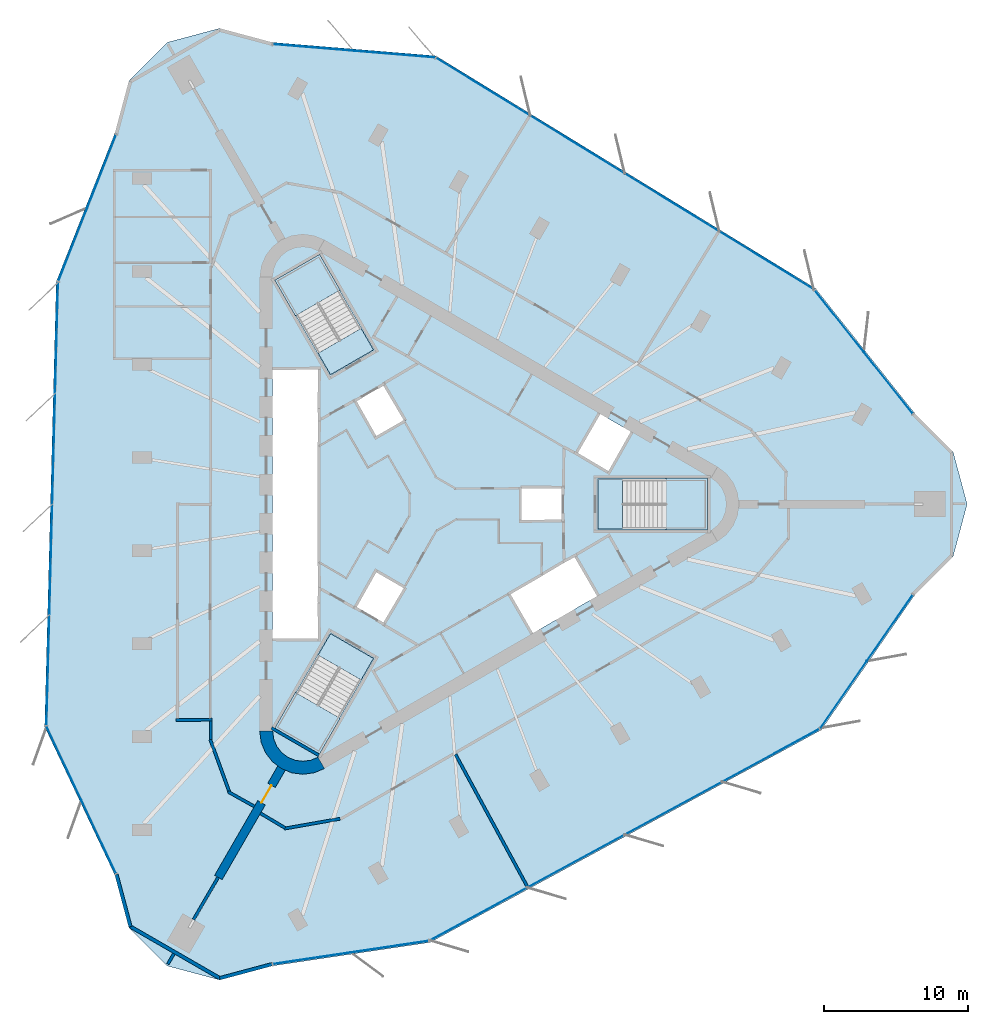
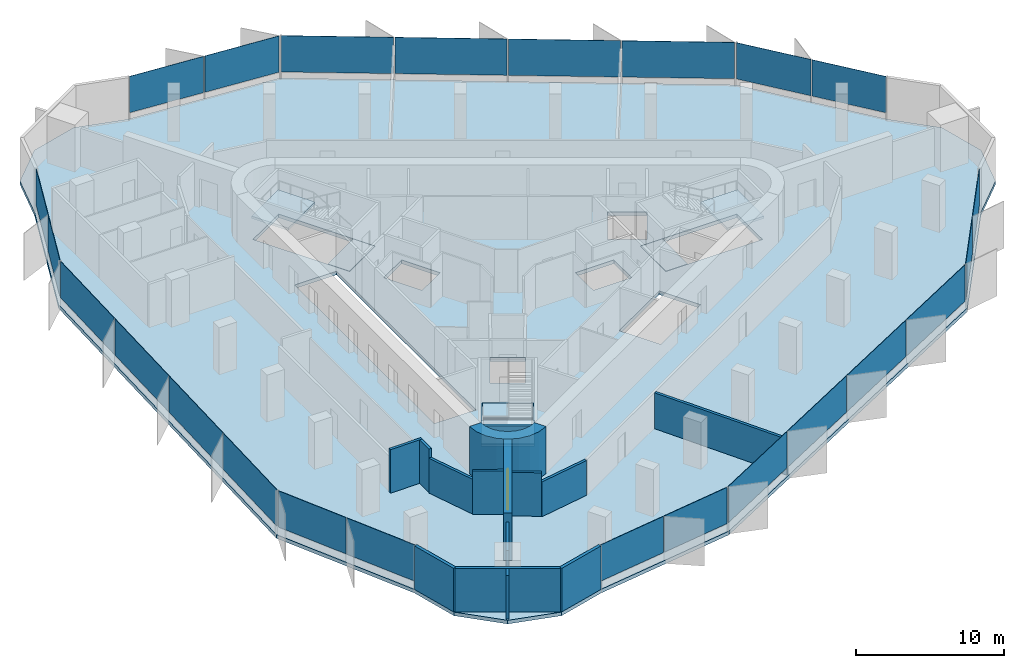
# One storey, part 7 of 13: 24 plates, 15 walls, 7 slabs, 1 door, 1 opening, 12 elements without a shape of their own.
"""IFC4 building model written with IfcOpenShell, lengths in metres."""

import ifcopenshell
import ifcopenshell.guid

model = None  # the IFC model being written
_history = None  # IfcOwnerHistory: only IFC2X3 demands one
_inside = {}  # id of a spatial element -> (the spatial element, [elements in it])
_under = {}  # id of a project, library or spatial element -> (it, [spatial elements below it])
_declared = {}  # id of a project -> (the project, [libraries it declares])
_typed = {}  # id of a type object -> (the type object, [elements of that type])
_made_of = {}  # id of a material, layer set ... -> (it, [elements and type objects made of it])


def new_model(schema):
    """Start an empty IFC model of exactly this schema.

    Asked for "IFC4X3", IfcOpenShell would pick the latest addendum, in which some entities
    have other attributes; the version numbers below select the first issue.
    IFC2X3 requires an IfcOwnerHistory on every rooted entity: one is made here for all.
    """
    global model, _history
    if schema == "IFC4X3":
        model = ifcopenshell.file(schema_version=(4, 3, 0, 0))
    else:
        model = ifcopenshell.file(schema=schema)
    _inside.clear()
    _under.clear()
    _declared.clear()
    _typed.clear()
    _made_of.clear()
    _history = None
    if model.schema == "IFC2X3":
        org = make("IfcOrganization", Name="unknown")
        user = make(
            "IfcPersonAndOrganization",
            ThePerson=make("IfcPerson", FamilyName="unknown"),
            TheOrganization=org,
        )
        app = make(
            "IfcApplication",
            ApplicationDeveloper=org,
            Version="unknown",
            ApplicationFullName="unknown",
            ApplicationIdentifier="unknown",
        )
        _history = make(
            "IfcOwnerHistory",
            OwningUser=user,
            OwningApplication=app,
            ChangeAction="ADDED",
            CreationDate=0,
        )
    return model


def make(cls, **values):
    """One entity of the class cls with the attributes given. An attribute that is None is left unset."""
    return model.create_entity(
        cls, **{name: value for name, value in values.items() if value is not None}
    )


def rooted(cls, **values):
    """An entity with a GlobalId (a new one), such as an element, a storey or a relation."""
    return make(cls, GlobalId=ifcopenshell.guid.new(), OwnerHistory=_history, **values)


def si_unit(unit_type, name, prefix=None):
    """IfcSIUnit, for example si_unit("LENGTHUNIT", "METRE", prefix="MILLI")."""
    return make("IfcSIUnit", UnitType=unit_type, Prefix=prefix, Name=name)


def assignment(units):
    """IfcUnitAssignment: the units of a project."""
    return None if units is None else make("IfcUnitAssignment", Units=units)


def point(xyz):
    """IfcCartesianPoint."""
    return None if xyz is None else make("IfcCartesianPoint", Coordinates=xyz)


def direction(xyz):
    """IfcDirection."""
    return None if xyz is None else make("IfcDirection", DirectionRatios=xyz)


def frame(location, z_axis=None, x_axis=None):
    """IfcAxis2Placement3D, a coordinate frame: its origin and axes. An axis left out is left unset."""
    return make(
        "IfcAxis2Placement3D",
        Location=point(location),
        Axis=direction(z_axis),
        RefDirection=direction(x_axis),
    )


def frame_2d(location, x_axis=None):
    """IfcAxis2Placement2D, a coordinate frame in the plane: its origin and x axis."""
    return make(
        "IfcAxis2Placement2D", Location=point(location), RefDirection=direction(x_axis)
    )


def origin():
    """The frame at (0, 0, 0) with its axes left unset."""
    return frame((0.0, 0.0, 0.0))


def origin_2d():
    """The frame at (0, 0) in the plane with its x axis left unset."""
    return frame_2d((0.0, 0.0))


def place(relative_to, where):
    """IfcLocalPlacement: puts the frame where relative to a parent placement (None: the world)."""
    return make(
        "IfcLocalPlacement", PlacementRelTo=relative_to, RelativePlacement=where
    )


def context(
    kind, dimensions, precision=None, world=None, true_north=None, identifier=None
):
    """IfcGeometricRepresentationContext, for example the 3D "Model" context."""
    return make(
        "IfcGeometricRepresentationContext",
        ContextIdentifier=identifier,
        ContextType=kind,
        CoordinateSpaceDimension=dimensions,
        Precision=precision,
        WorldCoordinateSystem=world,
        TrueNorth=true_north,
    )


def subcontext(parent, identifier, kind, view, scale=None):
    """IfcGeometricRepresentationSubContext, for example "Body" below "Model"."""
    return make(
        "IfcGeometricRepresentationSubContext",
        ContextIdentifier=identifier,
        ContextType=kind,
        ParentContext=parent,
        TargetScale=scale,
        TargetView=view,
    )


def project(units=None, contexts=None):
    """IfcProject with its units and contexts."""
    return rooted(
        "IfcProject",
        Name="project",
        RepresentationContexts=contexts,
        UnitsInContext=assignment(units),
    )


def spatial(cls, under=None, at=None, **own):
    """A site, building, storey or space (cls), placed at a placement, below another one or the project."""
    s = rooted(cls, ObjectPlacement=at, **own)
    if under is not None:
        _under.setdefault(under.id(), (under, []))[1].append(s)
    return s


def polyline(points):
    """IfcPolyline through the points."""
    return make("IfcPolyline", Points=[point(p) for p in points])


def profile(cls, at=None, kind="AREA", **sizes):
    """A parametric profile (cls). Its sizes go by their IFC names, for example OverallWidth=200.0."""
    return make(cls, ProfileType=kind, Position=at, **sizes)


def rectangle(**sizes):
    """IfcRectangleProfileDef."""
    return profile("IfcRectangleProfileDef", **sizes)


def outline(outer, holes=None, kind="AREA"):
    """IfcArbitraryClosedProfileDef: a profile drawn as a closed curve; with holes, ...WithVoids."""
    if holes is None:
        return make("IfcArbitraryClosedProfileDef", ProfileType=kind, OuterCurve=outer)
    return make(
        "IfcArbitraryProfileDefWithVoids",
        ProfileType=kind,
        OuterCurve=outer,
        InnerCurves=holes,
    )


def extrude(swept, where, along, depth):
    """IfcExtrudedAreaSolid: the profile swept, set in the frame where, extruded along a direction by depth."""
    return make(
        "IfcExtrudedAreaSolid",
        SweptArea=swept,
        Position=where,
        ExtrudedDirection=direction(along),
        Depth=depth,
    )


def shape(context_of_items, identifier, shape_type, items):
    """IfcShapeRepresentation: the items that make up one representation, for example the "Body"."""
    return make(
        "IfcShapeRepresentation",
        ContextOfItems=context_of_items,
        RepresentationIdentifier=identifier,
        RepresentationType=shape_type,
        Items=items,
    )


def material(Name=None, Category=None):
    """IfcMaterial."""
    return make("IfcMaterial", Name=Name, Category=Category)


def layer(
    of_material, thickness, ventilated=None, Name=None, Category=None, Priority=None
):
    """IfcMaterialLayer: one layer of a wall or slab, of a material (None: an air gap)."""
    return make(
        "IfcMaterialLayer",
        Material=of_material,
        LayerThickness=thickness,
        IsVentilated=ventilated,
        Name=Name,
        Category=Category,
        Priority=Priority,
    )


def layer_set(layers, Name=None):
    """IfcMaterialLayerSet."""
    return make("IfcMaterialLayerSet", MaterialLayers=layers, LayerSetName=Name)


def made_of(thing, what):
    """Note that an element or type object is made of a material, layer set ...; save() writes the relation."""
    if what is not None:
        _made_of.setdefault(what.id(), (what, []))[1].append(thing)
    return thing


def type_object(cls, material=None, **own):
    """A type object (cls), such as IfcWallType, which elements share."""
    return made_of(rooted(cls, **own), material)


def element(
    cls,
    number,
    at=None,
    inside=None,
    cuts=None,
    type_object=None,
    material=None,
    context=None,
    identifier="Body",
    shape_type=None,
    held_by="IfcProductDefinitionShape",
    body=None,
    shapes=None,
    **own,
):
    """One element of the class cls, such as IfcWall. Its Tag is "e" and its number.

    at: its placement. inside: the storey or other place that contains it. cuts: it is an
    opening in that element (IfcRelVoidsElement). A single representation is given by context,
    identifier, shape_type and body (its items); several are given by shapes. held_by: the class
    of the entity that holds the representations. save() writes the other relations.
    """
    e = rooted(cls, Tag="e%d" % number, ObjectPlacement=at, **own)
    if body is not None:
        shapes = [shape(context, identifier, shape_type, body)]
    if shapes is not None:
        e.Representation = make(held_by, Representations=shapes)
    if inside is not None:
        _inside.setdefault(inside.id(), (inside, []))[1].append(e)
    if cuts is not None:
        rooted(
            "IfcRelVoidsElement", RelatingBuildingElement=cuts, RelatedOpeningElement=e
        )
    if type_object is not None:
        _typed.setdefault(type_object.id(), (type_object, []))[1].append(e)
    return made_of(e, material)


def fill(opening, filler):
    """IfcRelFillsElement: the door or window that sits in an opening."""
    return rooted(
        "IfcRelFillsElement",
        RelatingOpeningElement=opening,
        RelatedBuildingElement=filler,
    )


def aggregate(whole, parts):
    """IfcRelAggregates: a whole, such as a stair, and the parts it consists of."""
    return rooted("IfcRelAggregates", RelatingObject=whole, RelatedObjects=parts)


def save(model, path):
    """Write the relations noted so far, then the file.

    IfcRelAggregates (storeys below a building ...), IfcRelContainedInSpatialStructure (elements
    in a storey), IfcRelDefinesByType, IfcRelAssociatesMaterial and IfcRelDeclares: one each for
    every whole, place, type object, material and project.
    """
    for whole, parts in _under.values():
        aggregate(whole, parts)
    for where, things in _inside.values():
        rooted(
            "IfcRelContainedInSpatialStructure",
            RelatedElements=things,
            RelatingStructure=where,
        )
    for kind, things in _typed.values():
        rooted("IfcRelDefinesByType", RelatedObjects=things, RelatingType=kind)
    for what, things in _made_of.values():
        rooted("IfcRelAssociatesMaterial", RelatedObjects=things, RelatingMaterial=what)
    for by, libraries in _declared.values():
        rooted("IfcRelDeclares", RelatingContext=by, RelatedDefinitions=libraries)
    model.write(path)


model = new_model("IFC4")

# Units and contexts
model_context = context("Model", 3, precision=1e-05, world=origin(), true_north=direction((0.0, 1.0)))
body_context = subcontext(model_context, "Body", "Model", "MODEL_VIEW")
ifc_project = project(units=[si_unit("LENGTHUNIT", "METRE"), si_unit("AREAUNIT", "SQUARE_METRE"), si_unit("VOLUMEUNIT", "CUBIC_METRE"), si_unit("PLANEANGLEUNIT", "RADIAN"), si_unit("MASSUNIT", "GRAM", prefix="KILO")], contexts=[model_context])

# Site, building, storey
site_placement = place(None, origin())
site = spatial("IfcSite", under=ifc_project, at=site_placement, CompositionType="ELEMENT")
building_placement = place(site_placement, origin())
building = spatial("IfcBuilding", under=site, at=building_placement, Name="Tanit Gate Tower", CompositionType="ELEMENT")
storey_placement = place(building_placement, frame((0.0, 0.0, 322.10009765625)))
storey = spatial("IfcBuildingStorey", under=building, at=storey_placement, Name="L72", CompositionType="ELEMENT", Elevation=322.10009765625)

# Slab
ifc_material_1 = material(Name="Concrete C35/45", Category="concrete")
ifc_layer_1 = layer(ifc_material_1, 0.300048828125)
ifc_layer_set_1 = layer_set([ifc_layer_1], Name="FLOOR SLAB 300 C35/45")
slab_type_1 = type_object("IfcSlabType", Name="FLOOR SLAB 300 C35/45", PredefinedType="FLOOR", material=ifc_layer_set_1)
slab_1_placement = place(storey_placement, frame((0.0, 0.0, -0.300048828125)))
element("IfcSlab", 1, at=slab_1_placement, inside=storey, type_object=slab_type_1, Name="FLOOR SLAB L72", PredefinedType="FLOOR", context=body_context, shape_type="SweptSolid", body=[
    extrude(outline(polyline([(33.388916015625, 6.315185546875), (36.05810546875, 3.64599609375), (37.034912109375, 0.0), (36.05810546875, -3.64599609375), (33.388916015625, -6.315185546875), (26.90185546875, -15.685791015625), (-0.26953125, -30.44287109375), (-11.225341796875, -32.0732421875), (-14.871337890625, -33.05029296875), (-18.517578125, -32.0732421875), (-21.186767578125, -29.404052734375), (-22.16357421875, -25.758056640625), (-27.035400390625, -15.454833984375), (-26.2294921875, 15.454833984375), (-22.16357421875, 25.758056640625), (-21.186767578125, 29.404052734375), (-18.517578125, 32.0732421875), (-14.871337890625, 33.05029296875), (-11.225341796875, 32.0732421875), (0.13330078125, 31.140625), (26.4990234375, 14.988037109375), (33.388916015625, 6.315185546875)]), holes=[polyline([(11.3701171875, 1.72998046875), (18.929931640625, 1.72998046875), (18.929931640625, -1.72998046875), (11.3701171875, -1.72998046875), (11.3701171875, 1.72998046875)]), polyline([(12.158935546875, 2.159912109375), (9.82080078125, 3.510009765625), (11.44580078125, 6.324462890625), (13.783935546875, 4.974609375), (12.158935546875, 2.159912109375)]), polyline([(11.44580078125, -6.324462890625), (6.76904296875, -9.0244140625), (5.14404296875, -6.2099609375), (9.82080078125, -3.510009765625), (11.44580078125, -6.324462890625)]), polyline([(6.0, 1.199951171875), (9.0, 1.199951171875), (9.0, -1.199951171875), (6.0, -1.199951171875), (6.0, 1.199951171875)]), polyline([(-4.039306640625, 4.59619140625), (-5.539306640625, 7.194091796875), (-3.460693359375, 8.394287109375), (-1.960693359375, 5.796142578125), (-4.039306640625, 4.59619140625)]), polyline([(-1.960693359375, -5.796142578125), (-3.460693359375, -8.394287109375), (-5.539306640625, -7.194091796875), (-4.039306640625, -4.59619140625), (-1.960693359375, -5.796142578125)]), polyline([(-7.18310546875, 8.981689453125), (-10.963134765625, 15.52880859375), (-7.966796875, 17.2587890625), (-4.186767578125, 10.711669921875), (-7.18310546875, 8.981689453125)]), polyline([(-4.186767578125, -10.711669921875), (-7.966796875, -17.2587890625), (-10.963134765625, -15.52880859375), (-7.18310546875, -8.981689453125), (-4.186767578125, -10.711669921875)]), polyline([(-11.199951171875, -9.449951171875), (-11.199951171875, 9.449951171875), (-7.949951171875, 9.449951171875), (-7.949951171875, -9.449951171875), (-11.199951171875, -9.449951171875)])]), origin(), (0.0, 0.0, 1.0), 0.300048828125),
])

# Curtain wall, plates
ifc_material_2 = material(Name="Aluminium bronze anodised and glass", Category="aluminium")
curtain_wall_type = type_object("IfcCurtainWallType", Name="Curtain wall typical high", PredefinedType="NOTDEFINED", material=ifc_material_2)
curtain_wall_1_placement = place(storey_placement, origin())
curtain_wall_1 = element("IfcCurtainWall", 2, at=curtain_wall_1_placement, inside=storey, type_object=curtain_wall_type, Name="Curtain wall L72 NE1", PredefinedType="NOTDEFINED")
ifc_material_3 = material(Name="Glass tinted", Category="glass")
ifc_layer_2 = layer(ifc_material_3, 0.028076171875)
ifc_layer_set_2 = layer_set([ifc_layer_2], Name="Glass panel 28 typical high")
plate_type = type_object("IfcPlateType", Name="Glass panel 28 typical high", PredefinedType="CURTAIN_PANEL", material=ifc_layer_set_2)
plate_1_placement = place(storey_placement, frame((31.566650390625, 8.416259765625, 0.599853515625), z_axis=(0.0, 0.0, 1.0), x_axis=(-0.622036020701, 0.782988626322, 0.0)))
plate_1 = element("IfcPlate", 3, at=plate_1_placement, type_object=plate_type, Name="Glass panel L72 NE1.1", PredefinedType="CURTAIN_PANEL", context=body_context, shape_type="SweptSolid", body=[
    extrude(rectangle(XDim=5.410888671875, YDim=0.028076171875, at=origin_2d()), origin(), (0.0, 0.0, 1.0), 3.0),
])
plate_2_placement = place(storey_placement, frame((28.15087890625, 12.715576171875, 0.599853515625), z_axis=(0.0, 0.0, 1.0), x_axis=(-0.622036020701, 0.782988626322, 0.0)))
plate_2 = element("IfcPlate", 4, at=plate_2_placement, type_object=plate_type, Name="Glass panel L72 NE1.2", PredefinedType="CURTAIN_PANEL", context=body_context, shape_type="SweptSolid", body=[
    extrude(rectangle(XDim=5.4111328125, YDim=0.028076171875, at=origin_2d()), origin(), (0.0, 0.0, 1.0), 3.0),
])
aggregate(curtain_wall_1, [plate_1, plate_2])

curtain_wall_2_placement = place(storey_placement, origin())
curtain_wall_2 = element("IfcCurtainWall", 5, at=curtain_wall_2_placement, inside=storey, type_object=curtain_wall_type, Name="Curtain wall L72 NE2", PredefinedType="NOTDEFINED")
plate_3_placement = place(storey_placement, frame((23.102294921875, 16.92822265625, 0.599853515625), z_axis=(0.0, 0.0, 1.0), x_axis=(-0.852699967985, 0.522400961521, 0.0)))
plate_3 = element("IfcPlate", 6, at=plate_3_placement, type_object=plate_type, Name="Glass panel L72 NE2.1", PredefinedType="CURTAIN_PANEL", context=body_context, shape_type="SweptSolid", body=[
    extrude(rectangle(XDim=7.61767578125, YDim=0.028076171875, at=origin_2d()), origin(), (0.0, 0.0, 1.0), 3.0),
])
plate_4_placement = place(storey_placement, frame((16.53857421875, 20.949462890625, 0.599853515625), z_axis=(0.0, 0.0, 1.0), x_axis=(-0.852699967985, 0.522400961521, 0.0)))
plate_4 = element("IfcPlate", 7, at=plate_4_placement, type_object=plate_type, Name="Glass panel L72 NE2.2", PredefinedType="CURTAIN_PANEL", context=body_context, shape_type="SweptSolid", body=[
    extrude(rectangle(XDim=7.61767578125, YDim=0.028076171875, at=origin_2d()), origin(), (0.0, 0.0, 1.0), 3.0),
])
plate_5_placement = place(storey_placement, frame((9.974853515625, 24.970703125, 0.599853515625), z_axis=(0.0, 0.0, 1.0), x_axis=(-0.852699967985, 0.522400961521, 0.0)))
plate_5 = element("IfcPlate", 8, at=plate_5_placement, type_object=plate_type, Name="Glass panel L72 NE2.3", PredefinedType="CURTAIN_PANEL", context=body_context, shape_type="SweptSolid", body=[
    extrude(rectangle(XDim=7.61767578125, YDim=0.028076171875, at=origin_2d()), origin(), (0.0, 0.0, 1.0), 3.0),
])
plate_6_placement = place(storey_placement, frame((3.4111328125, 28.991943359375, 0.599853515625), z_axis=(0.0, 0.0, 1.0), x_axis=(-0.852699967985, 0.522400961521, 0.0)))
plate_6 = element("IfcPlate", 9, at=plate_6_placement, type_object=plate_type, Name="Glass panel L72 NE2.4", PredefinedType="CURTAIN_PANEL", context=body_context, shape_type="SweptSolid", body=[
    extrude(rectangle(XDim=7.617431640625, YDim=0.028076171875, at=origin_2d()), origin(), (0.0, 0.0, 1.0), 3.0),
])
aggregate(curtain_wall_2, [plate_3, plate_4, plate_5, plate_6])

curtain_wall_3_placement = place(storey_placement, origin())
curtain_wall_3 = element("IfcCurtainWall", 10, at=curtain_wall_3_placement, inside=storey, type_object=curtain_wall_type, Name="Curtain wall L72 NE3", PredefinedType="NOTDEFINED")
plate_7_placement = place(storey_placement, frame((-2.760009765625, 31.2578125, 0.599853515625), z_axis=(0.0, 0.0, 1.0), x_axis=(-0.996646303076, 0.081829985733, 0.0)))
plate_7 = element("IfcPlate", 11, at=plate_7_placement, type_object=plate_type, Name="Glass panel L72 NE3.1", PredefinedType="CURTAIN_PANEL", context=body_context, shape_type="SweptSolid", body=[
    extrude(rectangle(XDim=5.569580078125, YDim=0.028076171875, at=origin_2d()), origin(), (0.0, 0.0, 1.0), 3.0),
])
plate_8_placement = place(storey_placement, frame((-8.390625, 31.72021484375, 0.599853515625), z_axis=(0.0, 0.0, 1.0), x_axis=(-0.996646303076, 0.081829985733, 0.0)))
plate_8 = element("IfcPlate", 12, at=plate_8_placement, type_object=plate_type, Name="Glass panel L72 NE3.2", PredefinedType="CURTAIN_PANEL", context=body_context, shape_type="SweptSolid", body=[
    extrude(rectangle(XDim=5.569580078125, YDim=0.028076171875, at=origin_2d()), origin(), (0.0, 0.0, 1.0), 3.0),
])
aggregate(curtain_wall_3, [plate_7, plate_8])

curtain_wall_4_placement = place(storey_placement, origin())
curtain_wall_4 = element("IfcCurtainWall", 13, at=curtain_wall_4_placement, inside=storey, type_object=curtain_wall_type, Name="Curtain wall L72 W1", PredefinedType="NOTDEFINED")
plate_9_placement = place(storey_placement, frame((-23.072021484375, 23.12939453125, 0.599853515625), z_axis=(0.0, 0.0, 1.0), x_axis=(-0.367070030919, -0.930193309157, 0.0)))
plate_9 = element("IfcPlate", 14, at=plate_9_placement, type_object=plate_type, Name="Glass panel L72 W1.1", PredefinedType="CURTAIN_PANEL", context=body_context, shape_type="SweptSolid", body=[
    extrude(rectangle(XDim=5.410888671875, YDim=0.028076171875, at=origin_2d()), origin(), (0.0, 0.0, 1.0), 3.0),
])
plate_10_placement = place(storey_placement, frame((-25.087646484375, 18.021484375, 0.599853515625), z_axis=(0.0, 0.0, 1.0), x_axis=(-0.367070030919, -0.930193309157, 0.0)))
plate_10 = element("IfcPlate", 15, at=plate_10_placement, type_object=plate_type, Name="Glass panel L72 W1.2", PredefinedType="CURTAIN_PANEL", context=body_context, shape_type="SweptSolid", body=[
    extrude(rectangle(XDim=5.4111328125, YDim=0.028076171875, at=origin_2d()), origin(), (0.0, 0.0, 1.0), 3.0),
])
aggregate(curtain_wall_4, [plate_9, plate_10])

curtain_wall_5_placement = place(storey_placement, origin())
curtain_wall_5 = element("IfcCurtainWall", 16, at=curtain_wall_5_placement, inside=storey, type_object=curtain_wall_type, Name="Curtain wall L72 W2", PredefinedType="NOTDEFINED")
plate_11_placement = place(storey_placement, frame((-26.21142578125, 11.54296875, 0.599853515625), z_axis=(0.0, 0.0, 1.0), x_axis=(-0.026062519646, -0.999660314842, 0.0)))
plate_11 = element("IfcPlate", 17, at=plate_11_placement, type_object=plate_type, Name="Glass panel L72 W2.1", PredefinedType="CURTAIN_PANEL", context=body_context, shape_type="SweptSolid", body=[
    extrude(rectangle(XDim=7.61767578125, YDim=0.028076171875, at=origin_2d()), origin(), (0.0, 0.0, 1.0), 3.0),
])
plate_12_placement = place(storey_placement, frame((-26.412109375, 3.84814453125, 0.599853515625), z_axis=(0.0, 0.0, 1.0), x_axis=(-0.026062519646, -0.999660314842, 0.0)))
plate_12 = element("IfcPlate", 18, at=plate_12_placement, type_object=plate_type, Name="Glass panel L72 W2.2", PredefinedType="CURTAIN_PANEL", context=body_context, shape_type="SweptSolid", body=[
    extrude(rectangle(XDim=7.61767578125, YDim=0.028076171875, at=origin_2d()), origin(), (0.0, 0.0, 1.0), 3.0),
])
plate_13_placement = place(storey_placement, frame((-26.612548828125, -3.846923828125, 0.599853515625), z_axis=(0.0, 0.0, 1.0), x_axis=(-0.026062519646, -0.999660314842, 0.0)))
plate_13 = element("IfcPlate", 19, at=plate_13_placement, type_object=plate_type, Name="Glass panel L72 W2.3", PredefinedType="CURTAIN_PANEL", context=body_context, shape_type="SweptSolid", body=[
    extrude(rectangle(XDim=7.61767578125, YDim=0.028076171875, at=origin_2d()), origin(), (0.0, 0.0, 1.0), 3.0),
])
plate_14_placement = place(storey_placement, frame((-26.813232421875, -11.5419921875, 0.599853515625), z_axis=(0.0, 0.0, 1.0), x_axis=(-0.026062519646, -0.999660314842, 0.0)))
plate_14 = element("IfcPlate", 20, at=plate_14_placement, type_object=plate_type, Name="Glass panel L72 W2.4", PredefinedType="CURTAIN_PANEL", context=body_context, shape_type="SweptSolid", body=[
    extrude(rectangle(XDim=7.617431640625, YDim=0.028076171875, at=origin_2d()), origin(), (0.0, 0.0, 1.0), 3.0),
])
aggregate(curtain_wall_5, [plate_11, plate_12, plate_13, plate_14])

curtain_wall_6_placement = place(storey_placement, origin())
curtain_wall_6 = element("IfcCurtainWall", 21, at=curtain_wall_6_placement, inside=storey, type_object=curtain_wall_type, Name="Curtain wall L72 W3", PredefinedType="NOTDEFINED")
plate_15_placement = place(storey_placement, frame((-25.68994140625, -18.019287109375, 0.599853515625), z_axis=(0.0, 0.0, 1.0), x_axis=(0.427456305102, -0.904036009918, 0.0)))
plate_15 = element("IfcPlate", 22, at=plate_15_placement, type_object=plate_type, Name="Glass panel L72 W3.1", PredefinedType="CURTAIN_PANEL", context=body_context, shape_type="SweptSolid", body=[
    extrude(rectangle(XDim=5.569580078125, YDim=0.028076171875, at=origin_2d()), origin(), (0.0, 0.0, 1.0), 3.0),
])
plate_16_placement = place(storey_placement, frame((-23.275146484375, -23.126708984375, 0.599853515625), z_axis=(0.0, 0.0, 1.0), x_axis=(0.427456305102, -0.904036009918, 0.0)))
plate_16 = element("IfcPlate", 23, at=plate_16_placement, type_object=plate_type, Name="Glass panel L72 W3.2", PredefinedType="CURTAIN_PANEL", context=body_context, shape_type="SweptSolid", body=[
    extrude(rectangle(XDim=5.569580078125, YDim=0.028076171875, at=origin_2d()), origin(), (0.0, 0.0, 1.0), 3.0),
])
aggregate(curtain_wall_6, [plate_15, plate_16])

curtain_wall_7_placement = place(storey_placement, origin())
curtain_wall_7 = element("IfcCurtainWall", 24, at=curtain_wall_7_placement, inside=storey, type_object=curtain_wall_type, Name="Curtain wall L72 SE1", PredefinedType="NOTDEFINED")
plate_17_placement = place(storey_placement, frame((-8.49462890625, -31.545654296875, 0.599853515625), z_axis=(0.0, 0.0, 1.0), x_axis=(0.98910605162, 0.147204682835, 0.0)))
plate_17 = element("IfcPlate", 25, at=plate_17_placement, type_object=plate_type, Name="Glass panel L72 SE1.1", PredefinedType="CURTAIN_PANEL", context=body_context, shape_type="SweptSolid", body=[
    extrude(rectangle(XDim=5.410888671875, YDim=0.028076171875, at=origin_2d()), origin(), (0.0, 0.0, 1.0), 3.0),
])
plate_18_placement = place(storey_placement, frame((-3.063232421875, -30.7373046875, 0.599853515625), z_axis=(0.0, 0.0, 1.0), x_axis=(0.98910605162, 0.147204682835, 0.0)))
plate_18 = element("IfcPlate", 26, at=plate_18_placement, type_object=plate_type, Name="Glass panel L72 SE1.2", PredefinedType="CURTAIN_PANEL", context=body_context, shape_type="SweptSolid", body=[
    extrude(rectangle(XDim=5.4111328125, YDim=0.028076171875, at=origin_2d()), origin(), (0.0, 0.0, 1.0), 3.0),
])
aggregate(curtain_wall_7, [plate_17, plate_18])

curtain_wall_8_placement = place(storey_placement, origin())
curtain_wall_8 = element("IfcCurtainWall", 27, at=curtain_wall_8_placement, inside=storey, type_object=curtain_wall_type, Name="Curtain wall L72 SE2", PredefinedType="NOTDEFINED")
plate_19_placement = place(storey_placement, frame((3.109130859375, -28.47119140625, 0.599853515625), z_axis=(0.0, 0.0, 1.0), x_axis=(0.878762487631, 0.477259353321, 0.0)))
plate_19 = element("IfcPlate", 28, at=plate_19_placement, type_object=plate_type, Name="Glass panel L72 SE2.1", PredefinedType="CURTAIN_PANEL", context=body_context, shape_type="SweptSolid", body=[
    extrude(rectangle(XDim=7.61767578125, YDim=0.028076171875, at=origin_2d()), origin(), (0.0, 0.0, 1.0), 3.0),
])
plate_20_placement = place(storey_placement, frame((9.87353515625, -24.797607421875, 0.599853515625), z_axis=(0.0, 0.0, 1.0), x_axis=(0.878762487631, 0.477259353321, 0.0)))
plate_20 = element("IfcPlate", 29, at=plate_20_placement, type_object=plate_type, Name="Glass panel L72 SE2.2", PredefinedType="CURTAIN_PANEL", context=body_context, shape_type="SweptSolid", body=[
    extrude(rectangle(XDim=7.61767578125, YDim=0.028076171875, at=origin_2d()), origin(), (0.0, 0.0, 1.0), 3.0),
])
plate_21_placement = place(storey_placement, frame((16.637939453125, -21.123779296875, 0.599853515625), z_axis=(0.0, 0.0, 1.0), x_axis=(0.878762487631, 0.477259353321, 0.0)))
plate_21 = element("IfcPlate", 30, at=plate_21_placement, type_object=plate_type, Name="Glass panel L72 SE2.3", PredefinedType="CURTAIN_PANEL", context=body_context, shape_type="SweptSolid", body=[
    extrude(rectangle(XDim=7.61767578125, YDim=0.028076171875, at=origin_2d()), origin(), (0.0, 0.0, 1.0), 3.0),
])
plate_22_placement = place(storey_placement, frame((23.402099609375, -17.449951171875, 0.599853515625), z_axis=(0.0, 0.0, 1.0), x_axis=(0.878762487631, 0.477259353321, 0.0)))
plate_22 = element("IfcPlate", 31, at=plate_22_placement, type_object=plate_type, Name="Glass panel L72 SE2.4", PredefinedType="CURTAIN_PANEL", context=body_context, shape_type="SweptSolid", body=[
    extrude(rectangle(XDim=7.617431640625, YDim=0.028076171875, at=origin_2d()), origin(), (0.0, 0.0, 1.0), 3.0),
])
aggregate(curtain_wall_8, [plate_19, plate_20, plate_21, plate_22])

curtain_wall_9_placement = place(storey_placement, origin())
curtain_wall_9 = element("IfcCurtainWall", 32, at=curtain_wall_9_placement, inside=storey, type_object=curtain_wall_type, Name="Curtain wall L72 SE3", PredefinedType="NOTDEFINED")
plate_23_placement = place(storey_placement, frame((28.4501953125, -13.238525390625, 0.599853515625), z_axis=(0.0, 0.0, 1.0), x_axis=(0.569189997974, 0.822206024185, 0.0)))
plate_23 = element("IfcPlate", 33, at=plate_23_placement, type_object=plate_type, Name="Glass panel L72 SE3.1", PredefinedType="CURTAIN_PANEL", context=body_context, shape_type="SweptSolid", body=[
    extrude(rectangle(XDim=5.569580078125, YDim=0.028076171875, at=origin_2d()), origin(), (0.0, 0.0, 1.0), 3.0),
])
plate_24_placement = place(storey_placement, frame((31.665771484375, -8.593505859375, 0.599853515625), z_axis=(0.0, 0.0, 1.0), x_axis=(0.569189997974, 0.822206024185, 0.0)))
plate_24 = element("IfcPlate", 34, at=plate_24_placement, type_object=plate_type, Name="Glass panel L72 SE3.2", PredefinedType="CURTAIN_PANEL", context=body_context, shape_type="SweptSolid", body=[
    extrude(rectangle(XDim=5.569580078125, YDim=0.028076171875, at=origin_2d()), origin(), (0.0, 0.0, 1.0), 3.0),
])
aggregate(curtain_wall_9, [plate_23, plate_24])

# Stair, slab
ifc_material_4 = material(Name="Concrete C40/50", Category="concrete")
stair_type = type_object("IfcStairType", Name="INT-STAIR-EXIT", PredefinedType="HALF_TURN_STAIR", material=ifc_material_4)
stair_1_placement = place(storey_placement, origin())
stair_1 = element("IfcStair", 35, at=stair_1_placement, inside=storey, type_object=stair_type, Name="L72 STAIR S1", PredefinedType="HALF_TURN_STAIR")
ifc_material_5 = material(Name="Concrete C40/50", Category="concrete")
ifc_layer_3 = layer(ifc_material_5, 0.199951171875)
ifc_layer_set_3 = layer_set([ifc_layer_3], Name="INT-STAIR-LANDING")
slab_type_2 = type_object("IfcSlabType", Name="INT-STAIR-LANDING", PredefinedType="LANDING", material=ifc_layer_set_3)
slab_2_placement = place(storey_placement, frame((0.0, 0.0, 1.75)))
slab_2 = element("IfcSlab", 36, at=slab_2_placement, type_object=slab_type_2, Name="S1 landing 1", PredefinedType="LANDING", context=body_context, shape_type="SweptSolid", body=[
    extrude(outline(polyline([(16.135986328125, -1.800048828125), (19.0, -1.800048828125), (19.0, 1.800048828125), (16.135986328125, 1.800048828125), (16.135986328125, -1.800048828125)])), origin(), (0.0, 0.0, 1.0), 0.199951171875),
])
aggregate(stair_1, [slab_2])

# Slab
slab_3_placement = place(storey_placement, frame((0.0, 0.0, -0.2001953125)))
element("IfcSlab", 37, at=slab_3_placement, inside=storey, type_object=slab_type_2, Name="S1 floor landing", PredefinedType="LANDING", context=body_context, shape_type="SweptSolid", body=[
    extrude(outline(polyline([(11.3798828125, -1.719970703125), (13.10498046875, -1.719970703125), (13.10498046875, 1.719970703125), (11.3798828125, 1.719970703125), (11.3798828125, -1.719970703125)])), origin(), (0.0, 0.0, 1.0), 0.2001953125),
])

# Stair, slab
stair_2_placement = place(storey_placement, origin())
stair_2 = element("IfcStair", 38, at=stair_2_placement, inside=storey, type_object=stair_type, Name="L72 STAIR S2", PredefinedType="HALF_TURN_STAIR")
slab_4_placement = place(storey_placement, frame((0.0, 0.0, 1.75)))
slab_4 = element("IfcSlab", 39, at=slab_4_placement, type_object=slab_type_2, Name="S2 landing 1", PredefinedType="LANDING", context=body_context, shape_type="SweptSolid", body=[
    extrude(outline(polyline([(-6.5078125, 14.871826171875), (-7.941162109375, 17.3544921875), (-11.058837890625, 15.554443359375), (-9.62548828125, 13.07177734375), (-6.5078125, 14.871826171875)])), origin(), (0.0, 0.0, 1.0), 0.199951171875),
])
aggregate(stair_2, [slab_4])

# Slab
slab_5_placement = place(storey_placement, frame((0.0, 0.0, -0.2001953125)))
element("IfcSlab", 40, at=slab_5_placement, inside=storey, type_object=slab_type_2, Name="S2 floor landing", PredefinedType="LANDING", context=body_context, shape_type="SweptSolid", body=[
    extrude(outline(polyline([(-4.200439453125, 10.71533203125), (-5.0625, 12.20849609375), (-8.04150390625, 10.48828125), (-7.179443359375, 8.995361328125), (-4.200439453125, 10.71533203125)])), origin(), (0.0, 0.0, 1.0), 0.2001953125),
])

# Stair, slab
stair_3_placement = place(storey_placement, origin())
stair_3 = element("IfcStair", 41, at=stair_3_placement, inside=storey, type_object=stair_type, Name="L72 STAIR S3", PredefinedType="HALF_TURN_STAIR")
slab_6_placement = place(storey_placement, frame((0.0, 0.0, 1.75)))
slab_6 = element("IfcSlab", 42, at=slab_6_placement, type_object=slab_type_2, Name="S3 landing 1", PredefinedType="LANDING", context=body_context, shape_type="SweptSolid", body=[
    extrude(outline(polyline([(-9.626953125, -13.07421875), (-11.058837890625, -15.554443359375), (-7.941162109375, -17.3544921875), (-6.509033203125, -14.874267578125), (-9.626953125, -13.07421875)])), origin(), (0.0, 0.0, 1.0), 0.199951171875),
])
aggregate(stair_3, [slab_6])

# Slab
slab_7_placement = place(storey_placement, frame((0.0, 0.0, -0.2001953125)))
element("IfcSlab", 43, at=slab_7_placement, inside=storey, type_object=slab_type_2, Name="S3 floor landing", PredefinedType="LANDING", context=body_context, shape_type="SweptSolid", body=[
    extrude(outline(polyline([(-7.179443359375, -8.995361328125), (-8.0419921875, -10.4892578125), (-5.06298828125, -12.209228515625), (-4.200439453125, -10.71533203125), (-7.179443359375, -8.995361328125)])), origin(), (0.0, 0.0, 1.0), 0.2001953125),
])

# Wall, opening, door
ifc_material_6 = material(Name="Concrete C40/50", Category="concrete")
ifc_layer_4 = layer(ifc_material_6, 0.60009765625)
ifc_layer_set_4 = layer_set([ifc_layer_4], Name="BUTTRESS FIN 600 C40/50")
wall_type_1 = type_object("IfcWallType", Name="BUTTRESS FIN 600 C40/50", PredefinedType="SHEAR", material=ifc_layer_set_4)
wall_1_placement = place(storey_placement, frame((-10.574951171875, -18.31640625, 0.0), z_axis=(0.0, 0.0, 1.0), x_axis=(-0.499987805019, -0.866032444446, 0.0)))
wall_1 = element("IfcWall", 44, at=wall_1_placement, inside=storey, type_object=wall_type_1, Name="BUTTRESS FIN", PredefinedType="SHEAR", context=body_context, shape_type="SweptSolid", body=[
    extrude(rectangle(XDim=8.787353515625, YDim=0.60009765625, at=frame_2d((4.3935546875, 0.0))), origin(), (0.0, 0.0, 1.0), 3.89990234375),
])
opening_placement = place(wall_1_placement, frame((1.39990234375, 0.0, 0.0)))
opening = element("IfcOpeningElement", 45, at=opening_placement, cuts=wall_1, Name="Opening P14-S20-F-SW-1", PredefinedType="OPENING", context=body_context, shape_type="SweptSolid", body=[
    extrude(rectangle(XDim=1.39990234375, YDim=2.39990234375, at=frame_2d((0.699951171875, 1.199951171875))), frame((0.0, 0.31005859375, 0.0), z_axis=(0.0, -1.0, 0.0), x_axis=(1.0, 0.0, 0.0)), (0.0, 0.0, 1.0), 0.6201171875),
])
ifc_material_7 = material(Name="Timber door leaf", Category="wood")
door_type = type_object("IfcDoorType", Name="INT-DOOR-FIN-PAIR-1400", OperationType="NOTDEFINED", PredefinedType="NOTDEFINED", material=ifc_material_7)
door_placement = place(opening_placement, origin())
door = element("IfcDoor", 46, at=door_placement, inside=storey, type_object=door_type, Name="Door P14-S20-F-SW-1", OperationType="DOUBLE_DOOR_SINGLE_SWING", OverallHeight=2.39990234375, OverallWidth=1.39990234375, PredefinedType="NOTDEFINED", context=body_context, shape_type="SweptSolid", body=[
    extrude(rectangle(XDim=1.39990234375, YDim=2.39990234375, at=frame_2d((0.699951171875, 1.199951171875))), frame((0.0, 0.02490234375, 0.0), z_axis=(0.0, -1.0, 0.0), x_axis=(1.0, 0.0, 0.0)), (0.0, 0.0, 1.0), 0.050048828125),
])
fill(opening, door)

# Walls
ifc_material_8 = material(Name="Concrete C40/50", Category="concrete")
ifc_layer_5 = layer(ifc_material_8, 0.89990234375)
ifc_layer_set_5 = layer_set([ifc_layer_5], Name="CORE WALL 900 C40/50")
wall_type_2 = type_object("IfcWallType", Name="CORE WALL 900 C40/50", PredefinedType="SHEAR", material=ifc_layer_set_5)
wall_2_placement = place(storey_placement, origin())
element("IfcWall", 47, at=wall_2_placement, inside=storey, type_object=wall_type_2, Name="CORE WALL CORNER", PredefinedType="SHEAR", context=body_context, shape_type="SweptSolid", body=[
    extrude(outline(polyline([(-12.10009765625, -15.76171875), (-11.997802734375, -16.5380859375), (-11.697998046875, -17.26171875), (-11.22119140625, -17.883056640625), (-10.60009765625, -18.359619140625), (-9.87646484375, -18.659423828125), (-9.10009765625, -18.76171875), (-8.323486328125, -18.659423828125), (-7.60009765625, -18.359619140625), (-8.050048828125, -17.580322265625), (-8.556396484375, -17.7900390625), (-9.10009765625, -17.86181640625), (-9.6435546875, -17.7900390625), (-10.14990234375, -17.580322265625), (-10.5849609375, -17.24658203125), (-10.918701171875, -16.811767578125), (-11.12841796875, -16.30517578125), (-11.199951171875, -15.76171875), (-12.10009765625, -15.76171875)])), origin(), (0.0, 0.0, 1.0), 3.89990234375),
])
ifc_material_9 = material(Name="Concrete C30/37 with bronze anodised aluminium cladding", Category="concrete")
ifc_layer_6 = layer(ifc_material_9, 0.239990234375)
ifc_layer_set_6 = layer_set([ifc_layer_6], Name="Facade wall bronze clad 240")
wall_type_3 = type_object("IfcWallType", Name="Facade wall bronze clad 240", PredefinedType="SOLIDWALL", material=ifc_layer_set_6)
wall_3_placement = place(storey_placement, frame((-22.050537109375, -25.716552734375, 0.0), z_axis=(0.0, 0.0, 1.0), x_axis=(0.258816283321, -0.965926566302, 0.0)))
element("IfcWall", 48, at=wall_3_placement, inside=storey, type_object=wall_type_3, Name="Bronze-clad facade wall L72 SW.arc1", PredefinedType="SOLIDWALL", context=body_context, shape_type="SweptSolid", body=[
    extrude(rectangle(XDim=3.75341796875, YDim=0.239990234375, at=frame_2d((1.876708984375, 0.0))), origin(), (0.0, 0.0, 1.0), 3.599853515625),
])
wall_4_placement = place(storey_placement, frame((-21.0791015625, -29.342041015625, 0.0), z_axis=(0.0, 0.0, 1.0), x_axis=(0.866029611329, -0.499992712247, 0.0)))
element("IfcWall", 49, at=wall_4_placement, inside=storey, type_object=wall_type_3, Name="Bronze-clad facade wall L72 SW.arc2", PredefinedType="SOLIDWALL", context=body_context, shape_type="SweptSolid", body=[
    extrude(rectangle(XDim=7.16796875, YDim=0.239990234375, at=frame_2d((3.583984375, 0.0))), origin(), (0.0, 0.0, 1.0), 3.599853515625),
])
wall_5_placement = place(storey_placement, frame((-14.871337890625, -32.926025390625, 0.0), z_axis=(0.0, 0.0, 1.0), x_axis=(0.965921891913, 0.258833727946, 0.0)))
element("IfcWall", 50, at=wall_5_placement, inside=storey, type_object=wall_type_3, Name="Bronze-clad facade wall L72 SW.arc3", PredefinedType="SOLIDWALL", context=body_context, shape_type="SweptSolid", body=[
    extrude(rectangle(XDim=3.749267578125, YDim=0.239990234375, at=frame_2d((1.87451171875, 0.0))), origin(), (0.0, 0.0, 1.0), 3.599853515625),
])
ifc_material_10 = material(Name="Fire-rated gypsum board partition")
ifc_layer_7 = layer(ifc_material_10, 0.199951171875)
ifc_layer_set_7 = layer_set([ifc_layer_7], Name="INT-WALL-COMPARTMENT")
wall_type_4 = type_object("IfcWallType", Name="INT-WALL-COMPARTMENT", PredefinedType="PARTITIONING", material=ifc_layer_set_7)
wall_6_placement = place(storey_placement, frame((-17.89990234375, -15.001220703125, 0.0), z_axis=(0.0, 0.0, 1.0), x_axis=(0.999915662945, 0.012987185857, 0.0)))
element("IfcWall", 51, at=wall_6_placement, inside=storey, type_object=wall_type_4, Name="Wall Compartment W084", PredefinedType="PARTITIONING", context=body_context, shape_type="SweptSolid", body=[
    extrude(rectangle(XDim=2.500244140625, YDim=0.199951171875, at=frame_2d((1.25, 0.0))), origin(), (0.0, 0.0, 1.0), 3.599853515625),
])
wall_7_placement = place(storey_placement, frame((-14.293212890625, -19.9775390625, 0.0), z_axis=(0.0, 0.0, 1.0), x_axis=(0.872510000486, -0.48859625362, 0.0)))
element("IfcWall", 52, at=wall_7_placement, inside=storey, type_object=wall_type_4, Name="Wall Compartment W087", PredefinedType="PARTITIONING", context=body_context, shape_type="SweptSolid", body=[
    extrude(rectangle(XDim=2.089599609375, YDim=0.199951171875, at=frame_2d((1.044921875, 0.0))), origin(), (0.0, 0.0, 1.0), 3.599853515625),
])
wall_8_placement = place(storey_placement, frame((-15.5341796875, -16.346435546875, 0.0), z_axis=(0.0, 0.0, 1.0), x_axis=(0.342001008711, -0.939699584996, 0.0)))
element("IfcWall", 53, at=wall_8_placement, inside=storey, type_object=wall_type_4, Name="Wall Compartment W088", PredefinedType="PARTITIONING", context=body_context, shape_type="SweptSolid", body=[
    extrude(rectangle(XDim=3.87548828125, YDim=0.199951171875, at=frame_2d((1.937744140625, 0.0))), origin(), (0.0, 0.0, 1.0), 2.8798828125),
])
wall_9_placement = place(storey_placement, frame((-15.5, -15.070068359375, 0.0), z_axis=(0.0, 0.0, 1.0), x_axis=(0.0, -1.0, 0.0)))
element("IfcWall", 54, at=wall_9_placement, inside=storey, type_object=wall_type_4, Name="Wall Compartment W089", PredefinedType="PARTITIONING", context=body_context, shape_type="SweptSolid", body=[
    extrude(rectangle(XDim=1.2705078125, YDim=0.199951171875, at=frame_2d((0.63525390625, 0.0))), origin(), (0.0, 0.0, 1.0), 3.599853515625),
])
wall_10_placement = place(storey_placement, frame((-10.405517578125, -22.53759765625, 0.0), z_axis=(0.0, 0.0, 1.0), x_axis=(0.98480284819, 0.173675991999, 0.0)))
element("IfcWall", 55, at=wall_10_placement, inside=storey, type_object=wall_type_4, Name="Wall Compartment W106", PredefinedType="PARTITIONING", context=body_context, shape_type="SweptSolid", body=[
    extrude(rectangle(XDim=3.94873046875, YDim=0.199951171875, at=frame_2d((1.974365234375, 0.0))), origin(), (0.0, 0.0, 1.0), 2.8798828125),
])
wall_11_placement = place(storey_placement, frame((-12.05029296875, -21.4716796875, 0.0), z_axis=(0.0, 0.0, 1.0), x_axis=(0.859577966481, -0.511004617924, 0.0)))
element("IfcWall", 56, at=wall_11_placement, inside=storey, type_object=wall_type_4, Name="Wall Compartment W107", PredefinedType="PARTITIONING", context=body_context, shape_type="SweptSolid", body=[
    extrude(rectangle(XDim=1.99755859375, YDim=0.199951171875, at=frame_2d((0.998779296875, 0.0))), origin(), (0.0, 0.0, 1.0), 3.599853515625),
])
wall_12_placement = place(storey_placement, frame((-18.477294921875, -31.94384765625, 0.0), z_axis=(0.0, 0.0, 1.0), x_axis=(0.499798627271, 0.866141635172, 0.0)))
element("IfcWall", 57, at=wall_12_placement, inside=storey, type_object=wall_type_4, Name="Wall Compartment W110", PredefinedType="PARTITIONING", context=body_context, shape_type="SweptSolid", body=[
    extrude(rectangle(XDim=0.832275390625, YDim=0.199951171875, at=frame_2d((0.416015625, 0.0))), origin(), (0.0, 0.0, 1.0), 3.599853515625),
])
wall_13_placement = place(storey_placement, frame((-16.693603515625, -28.85400390625, 0.0), z_axis=(0.0, 0.0, 1.0), x_axis=(0.503017521745, 0.864276213266, 0.0)))
element("IfcWall", 58, at=wall_13_placement, inside=storey, type_object=wall_type_4, Name="Wall Compartment W111", PredefinedType="PARTITIONING", context=body_context, shape_type="SweptSolid", body=[
    extrude(rectangle(XDim=3.39794921875, YDim=0.199951171875, at=frame_2d((1.698974609375, 0.0))), origin(), (0.0, 0.0, 1.0), 3.169921875),
])
wall_14_placement = place(storey_placement, frame((1.498779296875, -17.37890625, 0.0), z_axis=(0.0, 0.0, 1.0), x_axis=(0.477249140753, -0.87876803404, 0.0)))
element("IfcWall", 59, at=wall_14_placement, inside=storey, type_object=wall_type_4, Name="Wall Compartment W124", PredefinedType="PARTITIONING", context=body_context, shape_type="SweptSolid", body=[
    extrude(rectangle(XDim=10.51611328125, YDim=0.199951171875, at=frame_2d((5.258056640625, 0.0))), origin(), (0.0, 0.0, 1.0), 2.969970703125),
])
ifc_material_11 = material(Name="Concrete C40/50", Category="concrete")
ifc_layer_8 = layer(ifc_material_11, 0.199951171875)
ifc_layer_set_8 = layer_set([ifc_layer_8], Name="INT-WALL-STAIR")
wall_type_5 = type_object("IfcWallType", Name="INT-WALL-STAIR", PredefinedType="SHEAR", material=ifc_layer_set_8)
wall_15_placement = place(storey_placement, frame((-11.281982421875, -15.541015625, -0.300048828125), z_axis=(0.0, 0.0, 1.0), x_axis=(0.866000483506, -0.500043160704, 0.0)))
element("IfcWall", 60, at=wall_15_placement, inside=storey, type_object=wall_type_5, Name="Wall Stair W037", PredefinedType="SHEAR", context=body_context, shape_type="SweptSolid", body=[
    extrude(rectangle(XDim=3.800048828125, YDim=0.199951171875, at=frame_2d((1.89990234375, 0.0))), origin(), (0.0, 0.0, 1.0), 3.89990234375),
])

save(model, "model.ifc")
